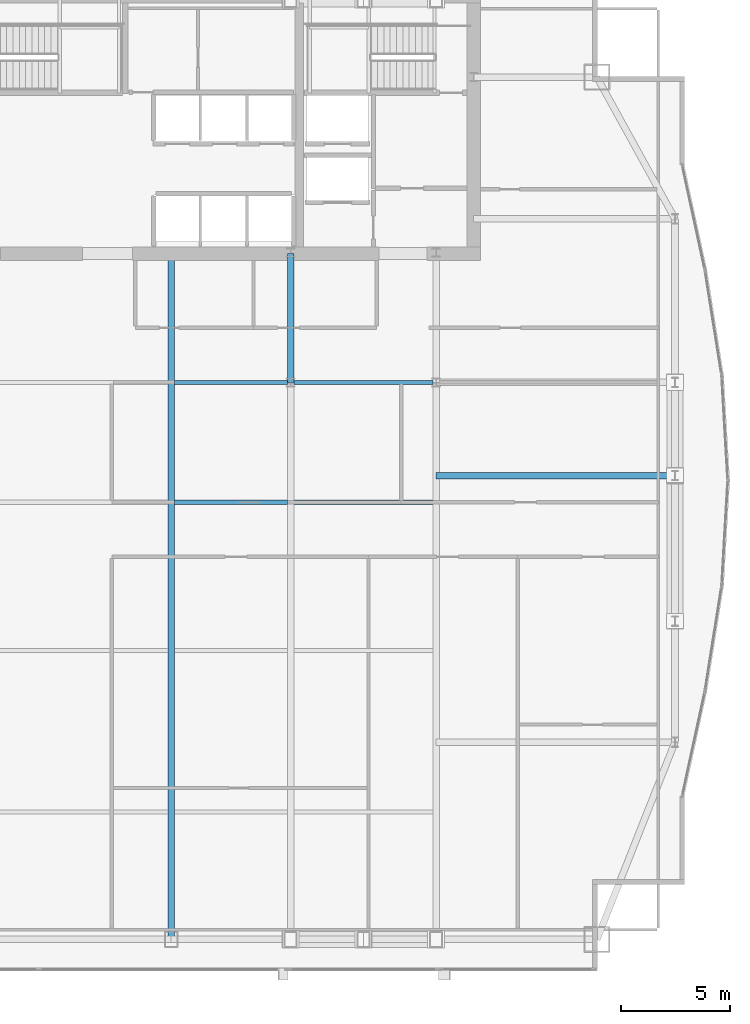
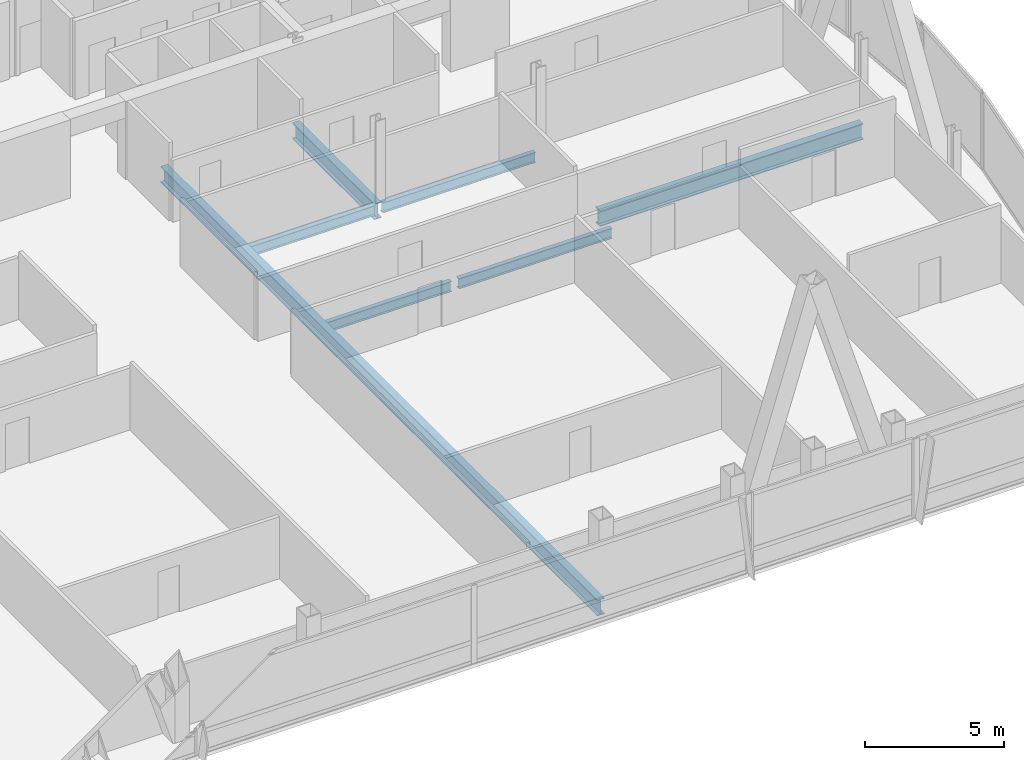
# One storey, part 18 of 33: 7 beams.
"""IFC4 building model written with IfcOpenShell, lengths in metres."""

from ifc_helpers import new_model, si_unit, direction, frame, origin, origin_2d, place, context, subcontext, project, spatial, i_section, extrude, material, material_profile, profile_set, type_object, element, save


model = new_model("IFC4")

# Units and contexts
model_context = context("Model", 3, precision=1e-05, world=origin(), true_north=direction((0.0, 1.0)))
body_context = subcontext(model_context, "Body", "Model", "MODEL_VIEW")
ifc_project = project(units=[si_unit("LENGTHUNIT", "METRE"), si_unit("AREAUNIT", "SQUARE_METRE"), si_unit("VOLUMEUNIT", "CUBIC_METRE"), si_unit("PLANEANGLEUNIT", "RADIAN"), si_unit("MASSUNIT", "GRAM", prefix="KILO")], contexts=[model_context])

# Site, building, storey
site_placement = place(None, origin())
site = spatial("IfcSite", under=ifc_project, at=site_placement, CompositionType="ELEMENT")
building_placement = place(site_placement, origin())
building = spatial("IfcBuilding", under=site, at=building_placement, Name="Khoronbel Lancet Exchange", CompositionType="ELEMENT")
storey_placement = place(building_placement, frame((0.0, 0.0, 210.199951171875)))
storey = spatial("IfcBuildingStorey", under=building, at=storey_placement, Name="L53", CompositionType="ELEMENT", Elevation=210.199951171875)

# Beams
ifc_material = material(Name="Steel S355", Category="steel")
ifc_material_profile_1 = material_profile(ifc_material, i_section(OverallWidth=0.300048828125, OverallDepth=0.699951171875, WebThickness=0.01708984375, FlangeThickness=0.031982421875, at=origin_2d()), Name="HEB 700")
ifc_profile_set_1 = profile_set([ifc_material_profile_1], Name="Steel S355")
beam_type_1 = type_object("IfcBeamType", Name="BM-BG3", PredefinedType="BEAM", material=ifc_profile_set_1)
beam_1_placement = place(storey_placement, frame((42.52490234375, 10.14990234375, -0.510009765625), z_axis=(0.0, 1.0, 0.0), x_axis=(-1.0, 0.0, 0.0)))
element("IfcBeam", 1, at=beam_1_placement, inside=storey, type_object=beam_type_1, Name="Level L53 primary floor girder G4", PredefinedType="BEAM", context=body_context, shape_type="SweptSolid", body=[
    extrude(i_section(OverallWidth=0.300048828125, OverallDepth=0.699951171875, WebThickness=0.01708984375, FlangeThickness=0.031982421875, at=origin_2d()), origin(), (0.0, 0.0, 1.0), 31.4501953125),
])
beam_2_placement = place(storey_placement, frame((48.0, 35.699951171875, -0.510009765625), z_axis=(0.0, 1.0, 0.0), x_axis=(-1.0, 0.0, 0.0)))
element("IfcBeam", 2, at=beam_2_placement, inside=storey, type_object=beam_type_1, Name="Level L53 spine tie girder GN5", PredefinedType="BEAM", context=body_context, shape_type="SweptSolid", body=[
    extrude(i_section(OverallWidth=0.300048828125, OverallDepth=0.699951171875, WebThickness=0.01708984375, FlangeThickness=0.031982421875, at=origin_2d()), origin(), (0.0, 0.0, 1.0), 5.900146484375),
])
beam_3_placement = place(storey_placement, frame((54.675048828125, 31.425048828125, -0.510009765625), z_axis=(1.0, 0.0, 0.0), x_axis=(0.0, 1.0, 0.0)))
element("IfcBeam", 3, at=beam_3_placement, inside=storey, type_object=beam_type_1, Name="Level L53 east lens tie girder LG2E", PredefinedType="BEAM", context=body_context, shape_type="SweptSolid", body=[
    extrude(i_section(OverallWidth=0.300048828125, OverallDepth=0.699951171875, WebThickness=0.01708984375, FlangeThickness=0.031982421875, at=origin_2d()), origin(), (0.0, 0.0, 1.0), 10.954833984375),
])
ifc_material_profile_2 = material_profile(ifc_material, i_section(OverallWidth=0.18994140625, OverallDepth=0.449951171875, WebThickness=0.009521484375, FlangeThickness=0.0146484375, at=origin_2d()), Name="IPE 450")
ifc_profile_set_2 = profile_set([ifc_material_profile_2], Name="Steel S355")
beam_type_2 = type_object("IfcBeamType", Name="BM-BJ4", PredefinedType="JOIST", material=ifc_profile_set_2)
beam_4_placement = place(storey_placement, frame((42.675048828125, 30.199951171875, -0.385009765625), z_axis=(1.0, 0.0, 0.0), x_axis=(0.0, 1.0, 0.0)))
element("IfcBeam", 4, at=beam_4_placement, inside=storey, type_object=beam_type_2, Name="Level L53 secondary composite joist J14", PredefinedType="JOIST", context=body_context, shape_type="SweptSolid", body=[
    extrude(i_section(OverallWidth=0.18994140625, OverallDepth=0.449951171875, WebThickness=0.009521484375, FlangeThickness=0.0146484375, at=origin_2d()), origin(), (0.0, 0.0, 1.0), 5.175048828125),
])
beam_5_placement = place(storey_placement, frame((48.14990234375, 30.199951171875, -0.385009765625), z_axis=(1.0, 0.0, 0.0), x_axis=(0.0, 1.0, 0.0)))
element("IfcBeam", 5, at=beam_5_placement, inside=storey, type_object=beam_type_2, Name="Level L53 secondary composite joist J15", PredefinedType="JOIST", context=body_context, shape_type="SweptSolid", body=[
    extrude(i_section(OverallWidth=0.18994140625, OverallDepth=0.449951171875, WebThickness=0.009521484375, FlangeThickness=0.0146484375, at=origin_2d()), origin(), (0.0, 0.0, 1.0), 6.375),
])
beam_6_placement = place(storey_placement, frame((42.675048828125, 35.699951171875, -0.385009765625), z_axis=(1.0, 0.0, 0.0), x_axis=(0.0, 1.0, 0.0)))
element("IfcBeam", 6, at=beam_6_placement, inside=storey, type_object=beam_type_2, Name="Level L53 secondary composite joist J19", PredefinedType="JOIST", context=body_context, shape_type="SweptSolid", body=[
    extrude(i_section(OverallWidth=0.18994140625, OverallDepth=0.449951171875, WebThickness=0.009521484375, FlangeThickness=0.0146484375, at=origin_2d()), origin(), (0.0, 0.0, 1.0), 5.175048828125),
])
beam_7_placement = place(storey_placement, frame((48.14990234375, 35.699951171875, -0.385009765625), z_axis=(1.0, 0.0, 0.0), x_axis=(0.0, 1.0, 0.0)))
element("IfcBeam", 7, at=beam_7_placement, inside=storey, type_object=beam_type_2, Name="Level L53 secondary composite joist J20", PredefinedType="JOIST", context=body_context, shape_type="SweptSolid", body=[
    extrude(i_section(OverallWidth=0.18994140625, OverallDepth=0.449951171875, WebThickness=0.009521484375, FlangeThickness=0.0146484375, at=origin_2d()), origin(), (0.0, 0.0, 1.0), 6.375),
])

save(model, "model.ifc")
